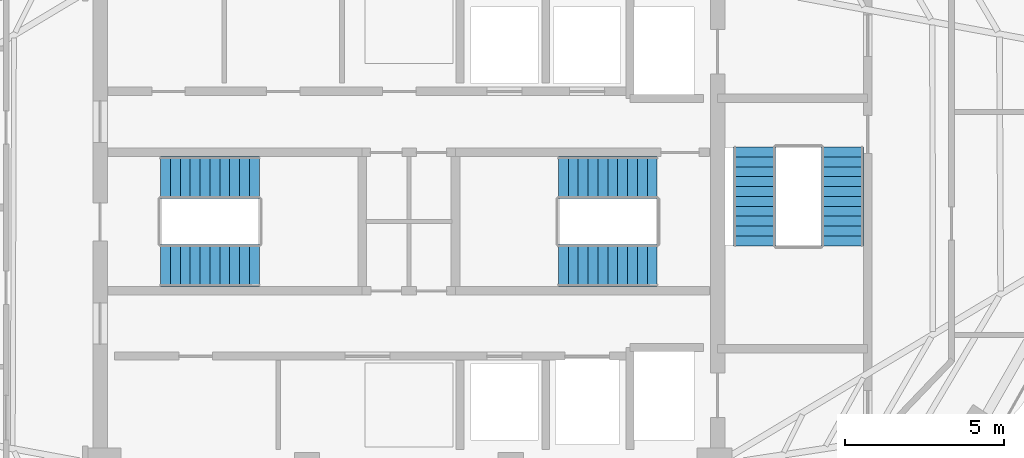
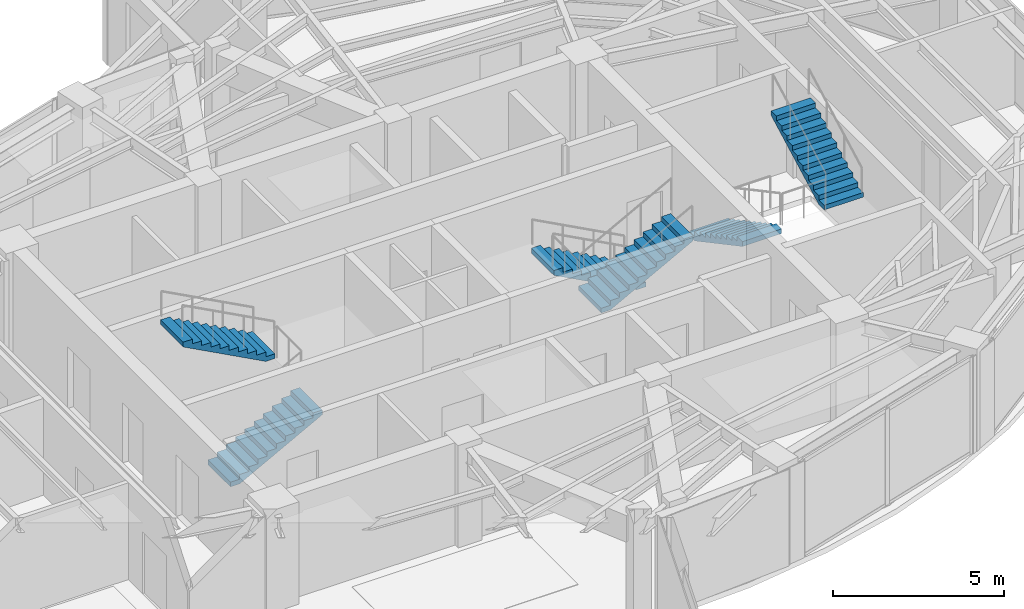
# One storey, part 21 of 23: 6 stair flights, 3 elements without a shape of their own.
"""IFC4 building model written with IfcOpenShell, lengths in metres."""

from ifc_helpers import new_model, si_unit, direction, frame, origin, place, context, subcontext, project, spatial, polyline, outline, extrude, material, type_object, element, aggregate, save


model = new_model("IFC4")

# Units and contexts
model_context = context("Model", 3, precision=1e-05, world=origin(), true_north=direction((0.0, 1.0)))
body_context = subcontext(model_context, "Body", "Model", "MODEL_VIEW")
ifc_project = project(units=[si_unit("LENGTHUNIT", "METRE"), si_unit("AREAUNIT", "SQUARE_METRE"), si_unit("VOLUMEUNIT", "CUBIC_METRE"), si_unit("PLANEANGLEUNIT", "RADIAN"), si_unit("MASSUNIT", "GRAM", prefix="KILO")], contexts=[model_context])

# Site, building, storey
site_placement = place(None, origin())
site = spatial("IfcSite", under=ifc_project, at=site_placement, CompositionType="ELEMENT")
building_placement = place(site_placement, origin())
building = spatial("IfcBuilding", under=site, at=building_placement, Name="Lazwardi Medical Tower", CompositionType="ELEMENT")
storey_placement = place(building_placement, frame((0.0, 0.0, 231.31201171875)))
storey = spatial("IfcBuildingStorey", under=building, at=storey_placement, Name="L60", CompositionType="ELEMENT", Elevation=231.31201171875)

# Stair, stair flights
ifc_material = material(Name="Concrete C45/55", Category="concrete")
stair_type = type_object("IfcStairType", Name="STR-WRD", PredefinedType="HALF_TURN_STAIR", material=ifc_material)
stair_1_placement = place(storey_placement, origin())
stair_1 = element("IfcStair", 1, at=stair_1_placement, inside=storey, type_object=stair_type, Name="L60 Protected Exit Stair ST1", PredefinedType="HALF_TURN_STAIR")
stair_flight_type = type_object("IfcStairFlightType", Name="FLT-WRD", PredefinedType="STRAIGHT", material=ifc_material)
stair_flight_1_placement = place(storey_placement, frame((28.199951171875, 26.679931640625, 0.0), z_axis=(0.0, 0.0, 1.0), x_axis=(1.0, 0.0, 0.0)))
stair_flight_1 = element("IfcStairFlight", 2, at=stair_flight_1_placement, type_object=stair_flight_type, Name="ST1 flight 1", NumberOfRisers=11, NumberOfTreads=10, PredefinedType="STRAIGHT", RiserHeight=0.165818182, TreadLength=0.31, context=body_context, shape_type="SweptSolid", body=[
    extrude(outline(polyline([(0.0, 0.0), (0.0, 0.165771484375), (0.31005859375, 0.165771484375), (0.31005859375, 0.33154296875), (0.6201171875, 0.33154296875), (0.6201171875, 0.49755859375), (0.929931640625, 0.49755859375), (0.929931640625, 0.663330078125), (1.239990234375, 0.663330078125), (1.239990234375, 0.8291015625), (1.550048828125, 0.8291015625), (1.550048828125, 0.994873046875), (1.860107421875, 0.994873046875), (1.860107421875, 1.16064453125), (2.169921875, 1.16064453125), (2.169921875, 1.32666015625), (2.47998046875, 1.32666015625), (2.47998046875, 1.492431640625), (2.7900390625, 1.492431640625), (2.7900390625, 1.658203125), (3.10009765625, 1.658203125), (3.10009765625, 1.823974609375), (3.10009765625, 1.48828125), (0.31787109375, 0.0), (0.0, 0.0)])), frame((0.0, 0.66015625, 0.0), z_axis=(0.0, -1.0, 0.0), x_axis=(1.0, 0.0, 0.0)), (0.0, 0.0, 1.0), 1.320068359375),
])
stair_flight_2_placement = place(storey_placement, frame((31.300048828125, 29.43994140625, 1.823974609375), z_axis=(0.0, 0.0, 1.0), x_axis=(-1.0, 0.0, 0.0)))
stair_flight_2 = element("IfcStairFlight", 3, at=stair_flight_2_placement, type_object=stair_flight_type, Name="ST1 flight 2", NumberOfRisers=11, NumberOfTreads=10, PredefinedType="STRAIGHT", RiserHeight=0.165818182, TreadLength=0.31, context=body_context, shape_type="SweptSolid", body=[
    extrude(outline(polyline([(0.0, 0.0), (0.0, 0.165771484375), (0.31005859375, 0.165771484375), (0.31005859375, 0.33154296875), (0.6201171875, 0.33154296875), (0.6201171875, 0.49755859375), (0.929931640625, 0.49755859375), (0.929931640625, 0.663330078125), (1.239990234375, 0.663330078125), (1.239990234375, 0.8291015625), (1.550048828125, 0.8291015625), (1.550048828125, 0.994873046875), (1.860107421875, 0.994873046875), (1.860107421875, 1.16064453125), (2.169921875, 1.16064453125), (2.169921875, 1.32666015625), (2.47998046875, 1.32666015625), (2.47998046875, 1.492431640625), (2.7900390625, 1.492431640625), (2.7900390625, 1.658203125), (3.10009765625, 1.658203125), (3.10009765625, 1.823974609375), (3.10009765625, 1.48828125), (0.31787109375, 0.0), (0.0, 0.0)])), frame((0.0, 0.66015625, 0.0), z_axis=(0.0, -1.0, 0.0), x_axis=(1.0, 0.0, 0.0)), (0.0, 0.0, 1.0), 1.320068359375),
])
aggregate(stair_1, [stair_flight_1, stair_flight_2])

stair_2_placement = place(storey_placement, origin())
stair_2 = element("IfcStair", 4, at=stair_2_placement, inside=storey, type_object=stair_type, Name="L60 Protected Exit Stair ST2", PredefinedType="HALF_TURN_STAIR")
stair_flight_3_placement = place(storey_placement, frame((43.800048828125, 29.43994140625, 0.0), z_axis=(0.0, 0.0, 1.0), x_axis=(-1.0, 0.0, 0.0)))
stair_flight_3 = element("IfcStairFlight", 5, at=stair_flight_3_placement, type_object=stair_flight_type, Name="ST2 flight 1", NumberOfRisers=11, NumberOfTreads=10, PredefinedType="STRAIGHT", RiserHeight=0.165818182, TreadLength=0.31, context=body_context, shape_type="SweptSolid", body=[
    extrude(outline(polyline([(0.0, 0.0), (0.0, 0.165771484375), (0.31005859375, 0.165771484375), (0.31005859375, 0.33154296875), (0.6201171875, 0.33154296875), (0.6201171875, 0.49755859375), (0.929931640625, 0.49755859375), (0.929931640625, 0.663330078125), (1.239990234375, 0.663330078125), (1.239990234375, 0.8291015625), (1.550048828125, 0.8291015625), (1.550048828125, 0.994873046875), (1.860107421875, 0.994873046875), (1.860107421875, 1.16064453125), (2.169921875, 1.16064453125), (2.169921875, 1.32666015625), (2.47998046875, 1.32666015625), (2.47998046875, 1.492431640625), (2.7900390625, 1.492431640625), (2.7900390625, 1.658203125), (3.10009765625, 1.658203125), (3.10009765625, 1.823974609375), (3.10009765625, 1.48828125), (0.31787109375, 0.0), (0.0, 0.0)])), frame((0.0, 0.66015625, 0.0), z_axis=(0.0, -1.0, 0.0), x_axis=(1.0, 0.0, 0.0)), (0.0, 0.0, 1.0), 1.320068359375),
])
stair_flight_4_placement = place(storey_placement, frame((40.699951171875, 26.679931640625, 1.823974609375), z_axis=(0.0, 0.0, 1.0), x_axis=(1.0, 0.0, 0.0)))
stair_flight_4 = element("IfcStairFlight", 6, at=stair_flight_4_placement, type_object=stair_flight_type, Name="ST2 flight 2", NumberOfRisers=11, NumberOfTreads=10, PredefinedType="STRAIGHT", RiserHeight=0.165818182, TreadLength=0.31, context=body_context, shape_type="SweptSolid", body=[
    extrude(outline(polyline([(0.0, 0.0), (0.0, 0.165771484375), (0.31005859375, 0.165771484375), (0.31005859375, 0.33154296875), (0.6201171875, 0.33154296875), (0.6201171875, 0.49755859375), (0.929931640625, 0.49755859375), (0.929931640625, 0.663330078125), (1.239990234375, 0.663330078125), (1.239990234375, 0.8291015625), (1.550048828125, 0.8291015625), (1.550048828125, 0.994873046875), (1.860107421875, 0.994873046875), (1.860107421875, 1.16064453125), (2.169921875, 1.16064453125), (2.169921875, 1.32666015625), (2.47998046875, 1.32666015625), (2.47998046875, 1.492431640625), (2.7900390625, 1.492431640625), (2.7900390625, 1.658203125), (3.10009765625, 1.658203125), (3.10009765625, 1.823974609375), (3.10009765625, 1.48828125), (0.31787109375, 0.0), (0.0, 0.0)])), frame((0.0, 0.66015625, 0.0), z_axis=(0.0, -1.0, 0.0), x_axis=(1.0, 0.0, 0.0)), (0.0, 0.0, 1.0), 1.320068359375),
])
aggregate(stair_2, [stair_flight_3, stair_flight_4])

stair_3_placement = place(storey_placement, origin())
stair_3 = element("IfcStair", 7, at=stair_3_placement, inside=storey, type_object=stair_type, Name="L60 Protected Exit Stair ST3", PredefinedType="HALF_TURN_STAIR")
stair_flight_5_placement = place(storey_placement, frame((46.860107421875, 30.39990234375, 0.0), z_axis=(0.0, 0.0, 1.0), x_axis=(0.0, -1.0, 0.0)))
stair_flight_5 = element("IfcStairFlight", 8, at=stair_flight_5_placement, type_object=stair_flight_type, Name="ST3 flight 1", NumberOfRisers=11, NumberOfTreads=10, PredefinedType="STRAIGHT", RiserHeight=0.165818182, TreadLength=0.31, context=body_context, shape_type="SweptSolid", body=[
    extrude(outline(polyline([(0.0, 0.0), (0.0, 0.165771484375), (0.31005859375, 0.165771484375), (0.31005859375, 0.33154296875), (0.6201171875, 0.33154296875), (0.6201171875, 0.49755859375), (0.929931640625, 0.49755859375), (0.929931640625, 0.663330078125), (1.239990234375, 0.663330078125), (1.239990234375, 0.8291015625), (1.550048828125, 0.8291015625), (1.550048828125, 0.994873046875), (1.860107421875, 0.994873046875), (1.860107421875, 1.16064453125), (2.169921875, 1.16064453125), (2.169921875, 1.32666015625), (2.47998046875, 1.32666015625), (2.47998046875, 1.492431640625), (2.7900390625, 1.492431640625), (2.7900390625, 1.658203125), (3.10009765625, 1.658203125), (3.10009765625, 1.823974609375), (3.10009765625, 1.48828125), (0.31787109375, 0.0), (0.0, 0.0)])), frame((0.0, 0.66015625, 0.0), z_axis=(0.0, -1.0, 0.0), x_axis=(1.0, 0.0, 0.0)), (0.0, 0.0, 1.0), 1.320068359375),
])
stair_flight_6_placement = place(storey_placement, frame((49.6201171875, 27.300048828125, 1.823974609375), z_axis=(0.0, 0.0, 1.0), x_axis=(0.0, 1.0, 0.0)))
stair_flight_6 = element("IfcStairFlight", 9, at=stair_flight_6_placement, type_object=stair_flight_type, Name="ST3 flight 2", NumberOfRisers=11, NumberOfTreads=10, PredefinedType="STRAIGHT", RiserHeight=0.165818182, TreadLength=0.31, context=body_context, shape_type="SweptSolid", body=[
    extrude(outline(polyline([(0.0, 0.0), (0.0, 0.165771484375), (0.31005859375, 0.165771484375), (0.31005859375, 0.33154296875), (0.6201171875, 0.33154296875), (0.6201171875, 0.49755859375), (0.929931640625, 0.49755859375), (0.929931640625, 0.663330078125), (1.239990234375, 0.663330078125), (1.239990234375, 0.8291015625), (1.550048828125, 0.8291015625), (1.550048828125, 0.994873046875), (1.860107421875, 0.994873046875), (1.860107421875, 1.16064453125), (2.169921875, 1.16064453125), (2.169921875, 1.32666015625), (2.47998046875, 1.32666015625), (2.47998046875, 1.492431640625), (2.7900390625, 1.492431640625), (2.7900390625, 1.658203125), (3.10009765625, 1.658203125), (3.10009765625, 1.823974609375), (3.10009765625, 1.48828125), (0.31787109375, 0.0), (0.0, 0.0)])), frame((0.0, 0.66015625, 0.0), z_axis=(0.0, -1.0, 0.0), x_axis=(1.0, 0.0, 0.0)), (0.0, 0.0, 1.0), 1.320068359375),
])
aggregate(stair_3, [stair_flight_5, stair_flight_6])

save(model, "model.ifc")
